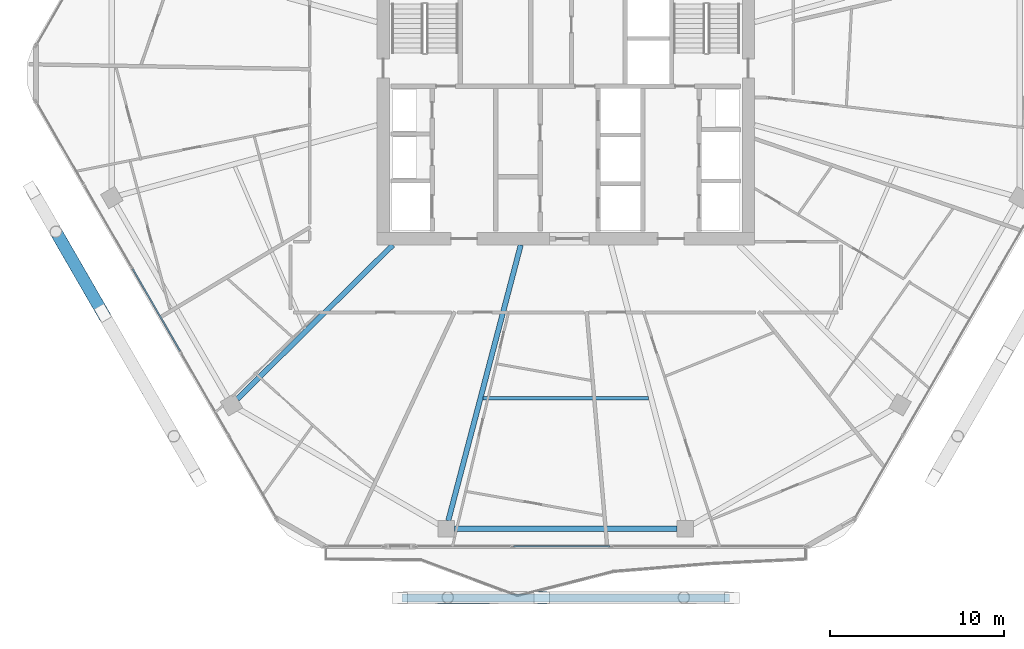
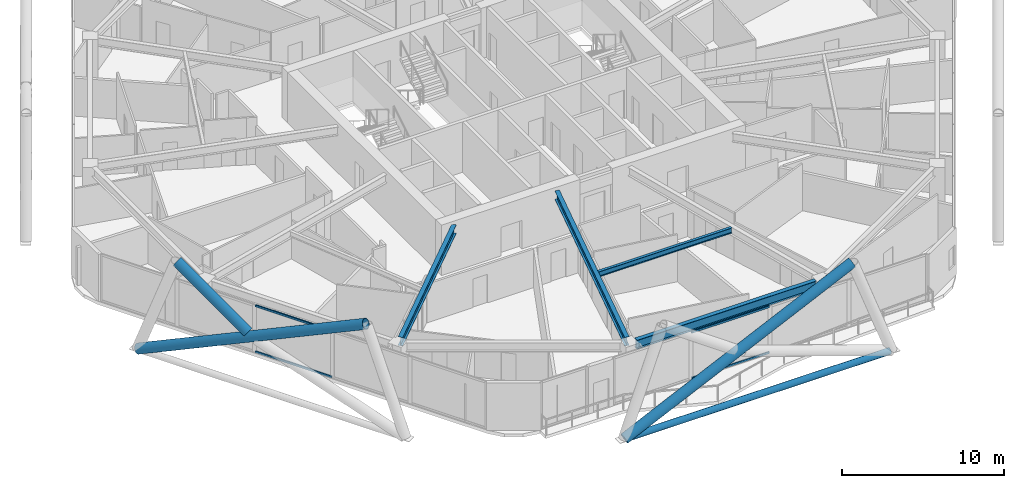
# One storey, part 4 of 28: 8 members, 4 beams, 2 elements without a shape of their own.
"""IFC4 building model written with IfcOpenShell, lengths in metres."""

from ifc_helpers import new_model, si_unit, direction, frame, origin, origin_2d, place, context, subcontext, project, spatial, hollow_rectangle, hollow_circle, i_section, extrude, material, material_profile, profile_set, type_object, element, aggregate, save


model = new_model("IFC4")

# Units and contexts
model_context = context("Model", 3, precision=1e-05, world=origin(), true_north=direction((0.0, 1.0)))
body_context = subcontext(model_context, "Body", "Model", "MODEL_VIEW")
ifc_project = project(units=[si_unit("LENGTHUNIT", "METRE"), si_unit("AREAUNIT", "SQUARE_METRE"), si_unit("VOLUMEUNIT", "CUBIC_METRE"), si_unit("PLANEANGLEUNIT", "RADIAN"), si_unit("MASSUNIT", "GRAM", prefix="KILO")], contexts=[model_context])

# Site, building, storey
site_placement = place(None, origin())
site = spatial("IfcSite", under=ifc_project, at=site_placement, CompositionType="ELEMENT")
building_placement = place(site_placement, origin())
building = spatial("IfcBuilding", under=site, at=building_placement, Name="Zuhravey Tower", CompositionType="ELEMENT")
storey_placement = place(building_placement, frame((0.0, 0.0, 207.39990234375)))
storey = spatial("IfcBuildingStorey", under=building, at=storey_placement, Name="L52", CompositionType="ELEMENT", Elevation=207.39990234375)

# Curtain wall, members
ifc_material_1 = material(Name="Thermally broken anodised aluminium", Category="aluminium")
curtain_wall_type = type_object("IfcCurtainWallType", Name="Zone 1-2 Residential Curtain Wall CW3", PredefinedType="NOTDEFINED", material=ifc_material_1)
curtain_wall_1_placement = place(storey_placement, origin())
curtain_wall_1 = element("IfcCurtainWall", 1, at=curtain_wall_1_placement, inside=storey, type_object=curtain_wall_type, Name="L52 CW3 CW-L52-F5-1", PredefinedType="NOTDEFINED")
ifc_material_2 = material(Name="Anodised aluminium", Category="aluminium")
ifc_material_profile_1 = material_profile(ifc_material_2, hollow_rectangle(XDim=0.090087890625, YDim=0.14990234375, WallThickness=0.0048828125, at=origin_2d()), Name="ALU-RHS-90x150x5")
ifc_profile_set_1 = profile_set([ifc_material_profile_1], Name="Anodised aluminium")
member_type_1 = type_object("IfcMemberType", Name="Curtain-Wall Transom 90x150", PredefinedType="USERDEFINED", material=ifc_profile_set_1)
member_1_placement = place(storey_placement, frame((38.540283203125, 4.81689453125, 0.045166015625), z_axis=(-1.0, 0.0, 0.0), x_axis=(0.0, -1.0, 0.0)))
member_1 = element("IfcMember", 2, at=member_1_placement, type_object=member_type_1, Name="CW3 transom 3.1", ObjectType="TRANSOM", PredefinedType="USERDEFINED", context=body_context, shape_type="SweptSolid", body=[
    extrude(hollow_rectangle(XDim=0.090087890625, YDim=0.14990234375, WallThickness=0.0048828125, at=origin_2d()), origin(), (0.0, 0.0, 1.0), 5.548095703125),
])
member_2_placement = place(storey_placement, frame((38.540283203125, 4.81689453125, 3.505126953125), z_axis=(-1.0, 0.0, 0.0), x_axis=(0.0, -1.0, 0.0)))
member_2 = element("IfcMember", 3, at=member_2_placement, type_object=member_type_1, Name="CW3 transom 3.2", ObjectType="TRANSOM", PredefinedType="USERDEFINED", context=body_context, shape_type="SweptSolid", body=[
    extrude(hollow_rectangle(XDim=0.090087890625, YDim=0.14990234375, WallThickness=0.0048828125, at=origin_2d()), origin(), (0.0, 0.0, 1.0), 5.548095703125),
])
aggregate(curtain_wall_1, [member_1, member_2])

curtain_wall_2_placement = place(storey_placement, origin())
curtain_wall_2 = element("IfcCurtainWall", 4, at=curtain_wall_2_placement, inside=storey, type_object=curtain_wall_type, Name="L52 CW3 CW-L52-F4-1", PredefinedType="NOTDEFINED")
member_3_placement = place(storey_placement, frame((13.822265625, 16.046630859375, 0.045166015625), z_axis=(-0.499980763544, 0.866036509673, 0.0), x_axis=(-0.866036509673, -0.499980763544, 0.0)))
member_3 = element("IfcMember", 5, at=member_3_placement, type_object=member_type_1, Name="CW3 transom 3.1", ObjectType="TRANSOM", PredefinedType="USERDEFINED", context=body_context, shape_type="SweptSolid", body=[
    extrude(hollow_rectangle(XDim=0.090087890625, YDim=0.14990234375, WallThickness=0.0048828125, at=origin_2d()), origin(), (0.0, 0.0, 1.0), 5.454345703125),
])
member_4_placement = place(storey_placement, frame((13.822265625, 16.046630859375, 3.505126953125), z_axis=(-0.499980763544, 0.866036509673, 0.0), x_axis=(-0.866036509673, -0.499980763544, 0.0)))
member_4 = element("IfcMember", 6, at=member_4_placement, type_object=member_type_1, Name="CW3 transom 3.2", ObjectType="TRANSOM", PredefinedType="USERDEFINED", context=body_context, shape_type="SweptSolid", body=[
    extrude(hollow_rectangle(XDim=0.090087890625, YDim=0.14990234375, WallThickness=0.0048828125, at=origin_2d()), origin(), (0.0, 0.0, 1.0), 5.454345703125),
])
aggregate(curtain_wall_2, [member_3, member_4])

# Members
ifc_material_3 = material(Name="Steel SM355", Category="steel")
ifc_material_profile_2 = material_profile(ifc_material_3, hollow_circle(Radius=0.228515625, WallThickness=0.02197265625, at=origin_2d()), Name="CHS-457.2x22")
ifc_profile_set_2 = profile_set([ifc_material_profile_2], Name="Steel SM355")
member_type_2 = type_object("IfcMemberType", Name="Exoskeleton Ring Tie CHS457x22", PredefinedType="CHORD", material=ifc_profile_set_2)
member_5_placement = place(storey_placement, frame((26.5849609375, 1.846923828125, -0.4638671875), z_axis=(1.0, 0.0, 0.0), x_axis=(0.0, 1.0, 0.0)))
element("IfcMember", 7, at=member_5_placement, inside=storey, type_object=member_type_2, Name="L52 Exoskeleton Face 5 Tie EXR1", PredefinedType="CHORD", context=body_context, shape_type="SweptSolid", body=[
    extrude(hollow_circle(Radius=0.228515625, WallThickness=0.02197265625, at=origin_2d()), origin(), (0.0, 0.0, 1.0), 18.830078125),
])
ifc_material_4 = material(Name="Steel SM460", Category="steel")
ifc_material_profile_3 = material_profile(ifc_material_4, hollow_circle(Radius=0.355712890625, WallThickness=0.031982421875, at=origin_2d()), Name="CHS-711.2x32")
ifc_profile_set_3 = profile_set([ifc_material_profile_3], Name="Steel SM460")
member_type_3 = type_object("IfcMemberType", Name="Exoskeleton Zone 2 Diagrid CHS711x32", PredefinedType="BRACE", material=ifc_profile_set_3)
member_6_placement = place(storey_placement, frame((5.3125, 25.26611328125, -0.44384765625), z_axis=(0.453338388553, -0.785209877744, 0.421817203724), x_axis=(0.866026715089, 0.499997728747, 0.0)))
element("IfcMember", 8, at=member_6_placement, inside=storey, type_object=member_type_3, Name="L52 Face 4 Diagrid Brace 2", PredefinedType="BRACE", context=body_context, shape_type="SweptSolid", body=[
    extrude(hollow_circle(Radius=0.355712890625, WallThickness=0.031982421875, at=origin_2d()), origin(), (0.0, 0.0, 1.0), 17.922607421875),
])
member_7_placement = place(storey_placement, frame((9.23388671875, 18.47412109375, 3.53515625), z_axis=(-0.408775424455, 0.70798015044, 0.575905164887), x_axis=(-0.866013277291, -0.500021003115, 0.0)))
element("IfcMember", 9, at=member_7_placement, inside=storey, type_object=member_type_3, Name="L52 Face 4 Split Diagrid Brace 3B", PredefinedType="BRACE", context=body_context, shape_type="SweptSolid", body=[
    extrude(hollow_circle(Radius=0.355712890625, WallThickness=0.031982421875, at=origin_2d()), origin(), (0.0, 0.0, 1.0), 6.205322265625),
])
member_8_placement = place(storey_placement, frame((26.488037109375, 1.846923828125, -0.44384765625), z_axis=(0.906678910824, 0.001661881417, 0.421818196403), x_axis=(-0.001832929613, 0.999998320183, 0.0)))
element("IfcMember", 10, at=member_8_placement, inside=storey, type_object=member_type_3, Name="L52 Face 5 Diagrid Brace 2", PredefinedType="BRACE", context=body_context, shape_type="SweptSolid", body=[
    extrude(hollow_circle(Radius=0.355712890625, WallThickness=0.031982421875, at=origin_2d()), origin(), (0.0, 0.0, 1.0), 17.922607421875),
])

# Beams
ifc_material_profile_4 = material_profile(ifc_material_3, i_section(OverallWidth=0.300048828125, OverallDepth=0.679931640625, WebThickness=0.012939453125, FlangeThickness=0.02197265625, at=origin_2d()), Name="H-680x300x13x22")
ifc_profile_set_4 = profile_set([ifc_material_profile_4], Name="Steel SM355")
beam_type_1 = type_object("IfcBeamType", Name="Perimeter Ring Beam H680x300", PredefinedType="BEAM", material=ifc_profile_set_4)
beam_1_placement = place(storey_placement, frame((29.595947265625, 5.826904296875, 3.210205078125), z_axis=(1.0, 0.0, 0.0), x_axis=(0.0, 1.0, 0.0)))
element("IfcBeam", 11, at=beam_1_placement, inside=storey, type_object=beam_type_1, Name="L52 PB2 BM-L52-PB-09", PredefinedType="BEAM", context=body_context, shape_type="SweptSolid", body=[
    extrude(i_section(OverallWidth=0.300048828125, OverallDepth=0.679931640625, WebThickness=0.012939453125, FlangeThickness=0.02197265625, at=origin_2d()), origin(), (0.0, 0.0, 1.0), 12.80810546875),
])
ifc_material_profile_5 = material_profile(ifc_material_3, i_section(OverallWidth=0.300048828125, OverallDepth=0.64990234375, WebThickness=0.012939453125, FlangeThickness=0.02197265625, at=origin_2d()), Name="H-650x300x13x22")
ifc_profile_set_5 = profile_set([ifc_material_profile_5], Name="Steel SM355")
beam_type_2 = type_object("IfcBeamType", Name="Radial Primary Girder H650x300", PredefinedType="BEAM", material=ifc_profile_set_5)
beam_2_placement = place(storey_placement, frame((26.054443359375, 22.14697265625, 3.22509765625), z_axis=(-0.710406645816, -0.703791444663, 0.0), x_axis=(0.703791444663, -0.710406645816, 0.0)))
element("IfcBeam", 12, at=beam_2_placement, inside=storey, type_object=beam_type_2, Name="L52 RG2 BM-L52-RAD-08", PredefinedType="BEAM", context=body_context, shape_type="SweptSolid", body=[
    extrude(i_section(OverallWidth=0.300048828125, OverallDepth=0.64990234375, WebThickness=0.012939453125, FlangeThickness=0.02197265625, at=origin_2d()), origin(), (0.0, 0.0, 1.0), 12.5849609375),
])
beam_3_placement = place(storey_placement, frame((33.4091796875, 22.14697265625, 3.22509765625), z_axis=(-0.254299806285, -0.967125435775, 0.0), x_axis=(0.967125435775, -0.254299806285, 0.0)))
element("IfcBeam", 13, at=beam_3_placement, inside=storey, type_object=beam_type_2, Name="L52 RG2 BM-L52-RAD-09", PredefinedType="BEAM", context=body_context, shape_type="SweptSolid", body=[
    extrude(i_section(OverallWidth=0.300048828125, OverallDepth=0.64990234375, WebThickness=0.012939453125, FlangeThickness=0.02197265625, at=origin_2d()), origin(), (0.0, 0.0, 1.0), 16.396728515625),
])
ifc_material_profile_6 = material_profile(ifc_material_3, i_section(OverallWidth=0.199951171875, OverallDepth=0.39990234375, WebThickness=0.008056640625, FlangeThickness=0.012939453125, at=origin_2d()), Name="H-400x200x8x13")
ifc_profile_set_6 = profile_set([ifc_material_profile_6], Name="Steel SM355")
beam_type_3 = type_object("IfcBeamType", Name="Secondary Floor Joist H400x200", PredefinedType="JOIST", material=ifc_profile_set_6)
beam_4_placement = place(storey_placement, frame((31.245849609375, 13.334228515625, 3.35009765625), z_axis=(1.0, 0.0, 0.0), x_axis=(0.0, 1.0, 0.0)))
element("IfcBeam", 14, at=beam_4_placement, inside=storey, type_object=beam_type_3, Name="L52 SJ2 BM-L52-SJ-09-1", PredefinedType="JOIST", context=body_context, shape_type="SweptSolid", body=[
    extrude(i_section(OverallWidth=0.199951171875, OverallDepth=0.39990234375, WebThickness=0.008056640625, FlangeThickness=0.012939453125, at=origin_2d()), origin(), (0.0, 0.0, 1.0), 9.50830078125),
])

save(model, "model.ifc")
